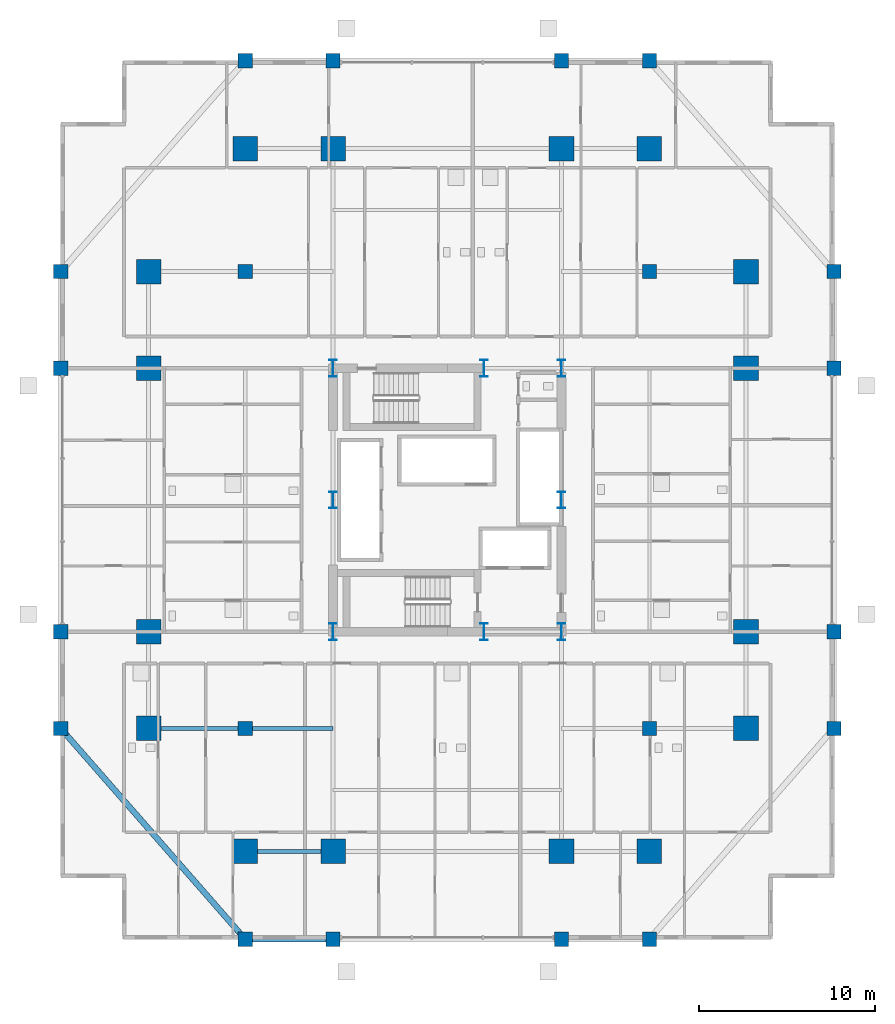
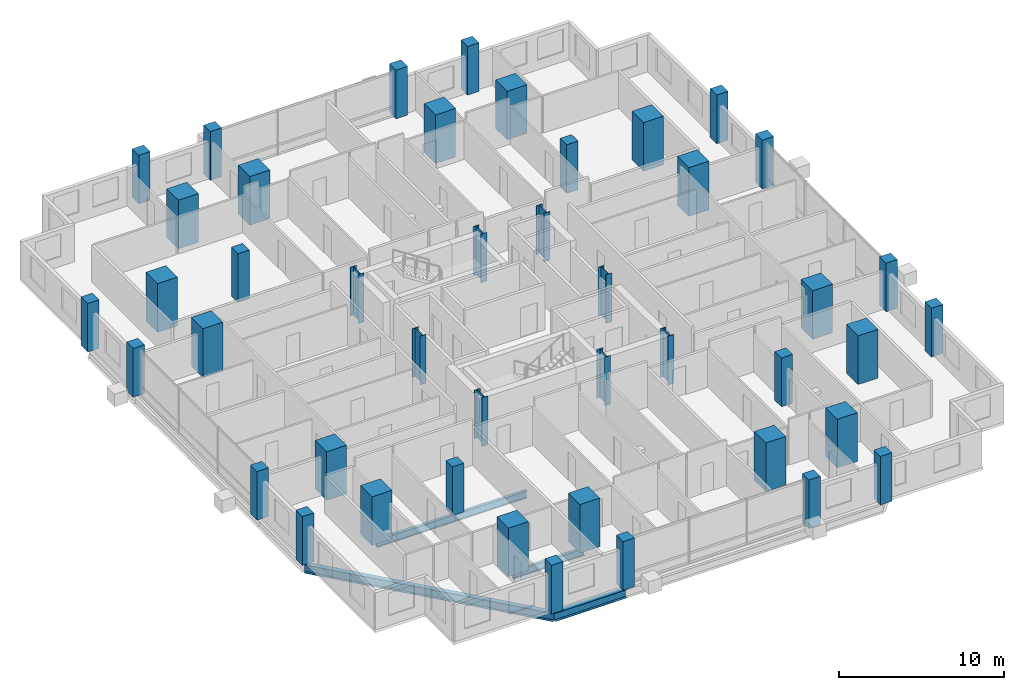
# One storey, part 1 of 24: 44 columns, 5 beams.
"""IFC4 building model written with IfcOpenShell, lengths in metres."""

from ifc_helpers import new_model, si_unit, direction, frame, origin, origin_2d, place, context, subcontext, project, spatial, rectangle, i_section, extrude, material, material_profile, profile_set, type_object, element, save


model = new_model("IFC4")

# Units and contexts
model_context = context("Model", 3, precision=1e-05, world=origin(), true_north=direction((0.0, 1.0)))
body_context = subcontext(model_context, "Body", "Model", "MODEL_VIEW")
ifc_project = project(units=[si_unit("LENGTHUNIT", "METRE"), si_unit("AREAUNIT", "SQUARE_METRE"), si_unit("VOLUMEUNIT", "CUBIC_METRE"), si_unit("PLANEANGLEUNIT", "RADIAN"), si_unit("MASSUNIT", "GRAM", prefix="KILO")], contexts=[model_context])

# Site, building, storey
site_placement = place(None, origin())
site = spatial("IfcSite", under=ifc_project, at=site_placement, CompositionType="ELEMENT")
building_placement = place(site_placement, origin())
building = spatial("IfcBuilding", under=site, at=building_placement, Name="Barlavira Tower and Art Museum", CompositionType="ELEMENT")
storey_placement = place(building_placement, frame((0.0, 0.0, 32.39990234375)))
storey = spatial("IfcBuildingStorey", under=building, at=storey_placement, Name="L06", CompositionType="ELEMENT", Elevation=32.39990234375)

# Columns
ifc_material_1 = material(Name="Steel S355", Category="steel")
ifc_material_profile_1 = material_profile(ifc_material_1, i_section(OverallWidth=0.419921875, OverallDepth=0.9599609375, WebThickness=0.02197265625, FlangeThickness=0.033935546875, at=origin_2d()), Name="W920x387.0")
ifc_profile_set_1 = profile_set([ifc_material_profile_1], Name="Steel S355")
column_type_1 = type_object("IfcColumnType", Name="Core Composite Column W920x387 Steel S355", PredefinedType="COLUMN", material=ifc_profile_set_1)
for number, where, z_axis, x_axis, name in (
    (1, (-6.5, -7.5, 0.0), (0.0, 0.0, 1.0), (1.0, 0.0, 0.0), "L06 Column CC-L06-C1"),
    (2, (2.080078125, -7.5, 0.0), (0.0, 0.0, 1.0), (1.0, 0.0, 0.0), "L06 Column CC-L06-C2"),
    (3, (6.5, -7.5, 0.0), (0.0, 0.0, 1.0), (1.0, 0.0, 0.0), "L06 Column CC-L06-C3"),
    (4, (-6.5, 0.0, 0.0), (0.0, 0.0, 1.0), (1.0, 0.0, 0.0), "L06 Column CC-L06-C4"),
    (5, (6.5, 0.0, 0.0), (0.0, 0.0, 1.0), (1.0, 0.0, 0.0), "L06 Column CC-L06-C5"),
    (6, (-6.5, 7.5, 0.0), (0.0, 0.0, 1.0), (1.0, 0.0, 0.0), "L06 Column CC-L06-C6"),
    (7, (2.080078125, 7.5, 0.0), (0.0, 0.0, 1.0), (1.0, 0.0, 0.0), "L06 Column CC-L06-C7"),
    (8, (6.5, 7.5, 0.0), (0.0, 0.0, 1.0), (1.0, 0.0, 0.0), "L06 Column CC-L06-C8"),
):
    element("IfcColumn", number, at=place(storey_placement, frame(where, z_axis=z_axis, x_axis=x_axis)), inside=storey, type_object=column_type_1, Name=name, PredefinedType="COLUMN", context=body_context, shape_type="SweptSolid", body=[
        extrude(i_section(OverallWidth=0.419921875, OverallDepth=0.9599609375, WebThickness=0.02197265625, FlangeThickness=0.033935546875, at=origin_2d()), origin(), (0.0, 0.0, 1.0), 3.60009765625),
    ])
ifc_material_2 = material(Name="Concrete C60", Category="concrete")
ifc_material_profile_2 = material_profile(ifc_material_2, rectangle(XDim=1.39990234375, YDim=1.39990234375, at=origin_2d()), Name="RC-MCOL 1400x1400")
ifc_profile_set_2 = profile_set([ifc_material_profile_2], Name="Concrete C60")
column_type_2 = type_object("IfcColumnType", Name="Perimeter Mega Column 1400x1400 Concrete C60", PredefinedType="USERDEFINED", material=ifc_profile_set_2)
for number, where, z_axis, x_axis, name in (
    (9, (-11.5, -20.0, 0.0), (0.0, 0.0, 1.0), (1.0, 0.0, 0.0), "L06 Column MC-L06-M01"),
    (10, (-6.5, -20.0, 0.0), (0.0, 0.0, 1.0), (1.0, 0.0, 0.0), "L06 Column MC-L06-M02"),
    (11, (6.5, -20.0, 0.0), (0.0, 0.0, 1.0), (1.0, 0.0, 0.0), "L06 Column MC-L06-M03"),
    (12, (11.5, -20.0, 0.0), (0.0, 0.0, 1.0), (1.0, 0.0, 0.0), "L06 Column MC-L06-M04"),
    (13, (17.0, -13.0, 0.0), (0.0, 0.0, 1.0), (1.0, 0.0, 0.0), "L06 Column MC-L06-M05"),
    (14, (17.0, -7.5, 0.0), (0.0, 0.0, 1.0), (1.0, 0.0, 0.0), "L06 Column MC-L06-M06"),
    (15, (17.0, 7.5, 0.0), (0.0, 0.0, 1.0), (1.0, 0.0, 0.0), "L06 Column MC-L06-M07"),
    (16, (17.0, 13.0, 0.0), (0.0, 0.0, 1.0), (1.0, 0.0, 0.0), "L06 Column MC-L06-M08"),
    (17, (11.5, 20.0, 0.0), (0.0, 0.0, 1.0), (1.0, 0.0, 0.0), "L06 Column MC-L06-M09"),
    (18, (6.5, 20.0, 0.0), (0.0, 0.0, 1.0), (1.0, 0.0, 0.0), "L06 Column MC-L06-M10"),
    (19, (-6.5, 20.0, 0.0), (0.0, 0.0, 1.0), (1.0, 0.0, 0.0), "L06 Column MC-L06-M11"),
    (20, (-11.5, 20.0, 0.0), (0.0, 0.0, 1.0), (1.0, 0.0, 0.0), "L06 Column MC-L06-M12"),
    (21, (-17.0, 13.0, 0.0), (0.0, 0.0, 1.0), (1.0, 0.0, 0.0), "L06 Column MC-L06-M13"),
    (22, (-17.0, 7.5, 0.0), (0.0, 0.0, 1.0), (1.0, 0.0, 0.0), "L06 Column MC-L06-M14"),
    (23, (-17.0, -7.5, 0.0), (0.0, 0.0, 1.0), (1.0, 0.0, 0.0), "L06 Column MC-L06-M15"),
    (24, (-17.0, -13.0, 0.0), (0.0, 0.0, 1.0), (1.0, 0.0, 0.0), "L06 Column MC-L06-M16"),
):
    element("IfcColumn", number, at=place(storey_placement, frame(where, z_axis=z_axis, x_axis=x_axis)), inside=storey, type_object=column_type_2, Name=name, ObjectType="MEGA COLUMN", PredefinedType="USERDEFINED", context=body_context, shape_type="SweptSolid", body=[
        extrude(rectangle(XDim=1.39990234375, YDim=1.39990234375, at=origin_2d()), origin(), (0.0, 0.0, 1.0), 3.60009765625),
    ])
ifc_material_3 = material(Name="Concrete C50", Category="concrete")
ifc_material_profile_3 = material_profile(ifc_material_3, rectangle(XDim=0.800048828125, YDim=0.800048828125, at=origin_2d()), Name="RC-COL 800x800")
ifc_profile_set_3 = profile_set([ifc_material_profile_3], Name="Concrete C50")
column_type_3 = type_object("IfcColumnType", Name="Podium Frame Column 800x800 Concrete C50", PredefinedType="COLUMN", material=ifc_profile_set_3)
for number, where, z_axis, x_axis, name in (
    (25, (-11.5, -13.0, 0.0), (0.0, 0.0, 1.0), (1.0, 0.0, 0.0), "L06 Column CI-L06-I1"),
    (26, (11.5, -13.0, 0.0), (0.0, 0.0, 1.0), (1.0, 0.0, 0.0), "L06 Column CI-L06-I2"),
    (27, (-11.5, 13.0, 0.0), (0.0, 0.0, 1.0), (1.0, 0.0, 0.0), "L06 Column CI-L06-I3"),
    (28, (11.5, 13.0, 0.0), (0.0, 0.0, 1.0), (1.0, 0.0, 0.0), "L06 Column CI-L06-I4"),
    (29, (-11.5, -25.0, 0.0), (0.0, 0.0, 1.0), (1.0, 0.0, 0.0), "L06 Column CZ1-L06-N01"),
    (30, (-6.5, -25.0, 0.0), (0.0, 0.0, 1.0), (1.0, 0.0, 0.0), "L06 Column CZ1-L06-N02"),
    (31, (6.5, -25.0, 0.0), (0.0, 0.0, 1.0), (1.0, 0.0, 0.0), "L06 Column CZ1-L06-N02B"),
    (32, (11.5, -25.0, 0.0), (0.0, 0.0, 1.0), (1.0, 0.0, 0.0), "L06 Column CZ1-L06-N03"),
    (33, (-22.0, -13.0, 0.0), (0.0, 0.0, 1.0), (1.0, 0.0, 0.0), "L06 Column CZ1-L06-N04"),
    (34, (-22.0, -7.5, 0.0), (0.0, 0.0, 1.0), (1.0, 0.0, 0.0), "L06 Column CZ1-L06-N05"),
    (35, (-22.0, 7.5, 0.0), (0.0, 0.0, 1.0), (1.0, 0.0, 0.0), "L06 Column CZ1-L06-N05B"),
    (36, (-22.0, 13.0, 0.0), (0.0, 0.0, 1.0), (1.0, 0.0, 0.0), "L06 Column CZ1-L06-N06"),
    (37, (-11.5, 25.0, 0.0), (0.0, 0.0, 1.0), (1.0, 0.0, 0.0), "L06 Column CZ1-L06-N07"),
    (38, (-6.5, 25.0, 0.0), (0.0, 0.0, 1.0), (1.0, 0.0, 0.0), "L06 Column CZ1-L06-N08"),
    (39, (6.5, 25.0, 0.0), (0.0, 0.0, 1.0), (1.0, 0.0, 0.0), "L06 Column CZ1-L06-N08B"),
    (40, (11.5, 25.0, 0.0), (0.0, 0.0, 1.0), (1.0, 0.0, 0.0), "L06 Column CZ1-L06-N09"),
    (41, (22.0, -13.0, 0.0), (0.0, 0.0, 1.0), (1.0, 0.0, 0.0), "L06 Column CZ1-L06-N10"),
    (42, (22.0, -7.5, 0.0), (0.0, 0.0, 1.0), (1.0, 0.0, 0.0), "L06 Column CZ1-L06-N11"),
    (43, (22.0, 7.5, 0.0), (0.0, 0.0, 1.0), (1.0, 0.0, 0.0), "L06 Column CZ1-L06-N11B"),
    (44, (22.0, 13.0, 0.0), (0.0, 0.0, 1.0), (1.0, 0.0, 0.0), "L06 Column CZ1-L06-N12"),
):
    element("IfcColumn", number, at=place(storey_placement, frame(where, z_axis=z_axis, x_axis=x_axis)), inside=storey, type_object=column_type_3, Name=name, PredefinedType="COLUMN", context=body_context, shape_type="SweptSolid", body=[
        extrude(rectangle(XDim=0.800048828125, YDim=0.800048828125, at=origin_2d()), origin(), (0.0, 0.0, 1.0), 3.60009765625),
    ])

# Beams
ifc_material_profile_4 = material_profile(ifc_material_1, i_section(OverallWidth=0.327880859375, OverallDepth=0.62890625, WebThickness=0.013916015625, FlangeThickness=0.021484375, at=origin_2d()), Name="W610x174.0")
ifc_profile_set_4 = profile_set([ifc_material_profile_4], Name="Steel S355")
beam_type_1 = type_object("IfcBeamType", Name="Perimeter Spandrel Edge Beam W610x174 Steel S355", PredefinedType="SPANDREL", material=ifc_profile_set_4)
beam_1_placement = place(storey_placement, frame((-11.5, -25.0, -0.534423828125), z_axis=(1.0, 0.0, 0.0), x_axis=(0.0, 1.0, 0.0)))
element("IfcBeam", 45, at=beam_1_placement, inside=storey, type_object=beam_type_1, Name="L06 Spandrel 1", PredefinedType="SPANDREL", context=body_context, shape_type="SweptSolid", body=[
    extrude(i_section(OverallWidth=0.327880859375, OverallDepth=0.62890625, WebThickness=0.013916015625, FlangeThickness=0.021484375, at=origin_2d()), origin(), (0.0, 0.0, 1.0), 5.0),
])
beam_2_placement = place(storey_placement, frame((-22.0, -13.0, -0.534423828125), z_axis=(0.658504607869, -0.752576694707, 0.0), x_axis=(0.752576694707, 0.658504607869, 0.0)))
element("IfcBeam", 46, at=beam_2_placement, inside=storey, type_object=beam_type_1, Name="L06 Spandrel 16", PredefinedType="SPANDREL", context=body_context, shape_type="SweptSolid", body=[
    extrude(i_section(OverallWidth=0.327880859375, OverallDepth=0.62890625, WebThickness=0.013916015625, FlangeThickness=0.021484375, at=origin_2d()), origin(), (0.0, 0.0, 1.0), 15.9453125),
])
ifc_material_profile_5 = material_profile(ifc_material_1, i_section(OverallWidth=0.214111328125, OverallDepth=0.549072265625, WebThickness=0.0146484375, FlangeThickness=0.023681640625, at=origin_2d()), Name="W530x138.0")
ifc_profile_set_5 = profile_set([ifc_material_profile_5], Name="Steel S355")
beam_type_2 = type_object("IfcBeamType", Name="Zone 1 Primary Floor Girder W530x138 Steel S355", PredefinedType="BEAM", material=ifc_profile_set_5)
beam_3_placement = place(storey_placement, frame((-11.5, -20.0, -0.494384765625), z_axis=(1.0, 0.0, 0.0), x_axis=(0.0, 1.0, 0.0)))
element("IfcBeam", 47, at=beam_3_placement, inside=storey, type_object=beam_type_2, Name="L06 Girder M-S1", PredefinedType="BEAM", context=body_context, shape_type="SweptSolid", body=[
    extrude(i_section(OverallWidth=0.214111328125, OverallDepth=0.549072265625, WebThickness=0.0146484375, FlangeThickness=0.023681640625, at=origin_2d()), origin(), (0.0, 0.0, 1.0), 5.0),
])
beam_4_placement = place(storey_placement, frame((-17.0, -13.0, -0.494384765625), z_axis=(1.0, 0.0, 0.0), x_axis=(0.0, 1.0, 0.0)))
element("IfcBeam", 48, at=beam_4_placement, inside=storey, type_object=beam_type_2, Name="L06 Girder I-S1", PredefinedType="BEAM", context=body_context, shape_type="SweptSolid", body=[
    extrude(i_section(OverallWidth=0.214111328125, OverallDepth=0.549072265625, WebThickness=0.0146484375, FlangeThickness=0.023681640625, at=origin_2d()), origin(), (0.0, 0.0, 1.0), 5.5),
])
beam_5_placement = place(storey_placement, frame((-11.5, -13.0, -0.494384765625), z_axis=(1.0, 0.0, 0.0), x_axis=(0.0, 1.0, 0.0)))
element("IfcBeam", 49, at=beam_5_placement, inside=storey, type_object=beam_type_2, Name="L06 Girder I-S2", PredefinedType="BEAM", context=body_context, shape_type="SweptSolid", body=[
    extrude(i_section(OverallWidth=0.214111328125, OverallDepth=0.549072265625, WebThickness=0.0146484375, FlangeThickness=0.023681640625, at=origin_2d()), origin(), (0.0, 0.0, 1.0), 5.0),
])

save(model, "model.ifc")
